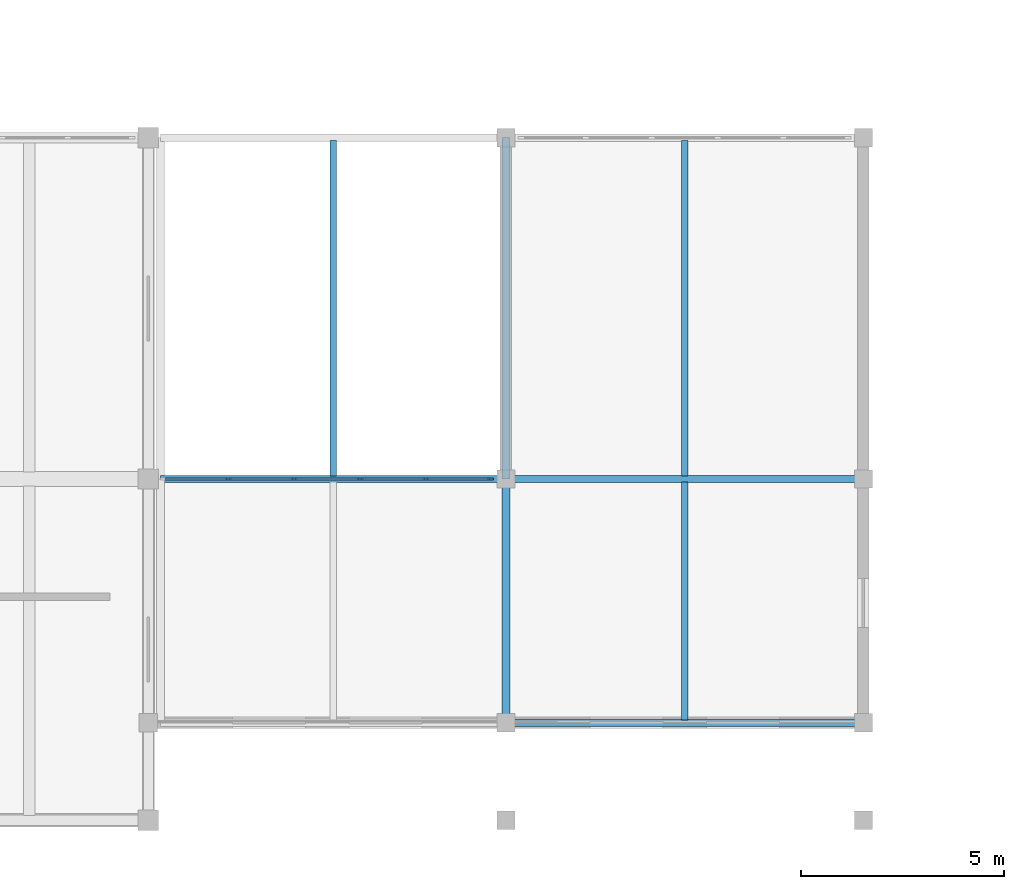
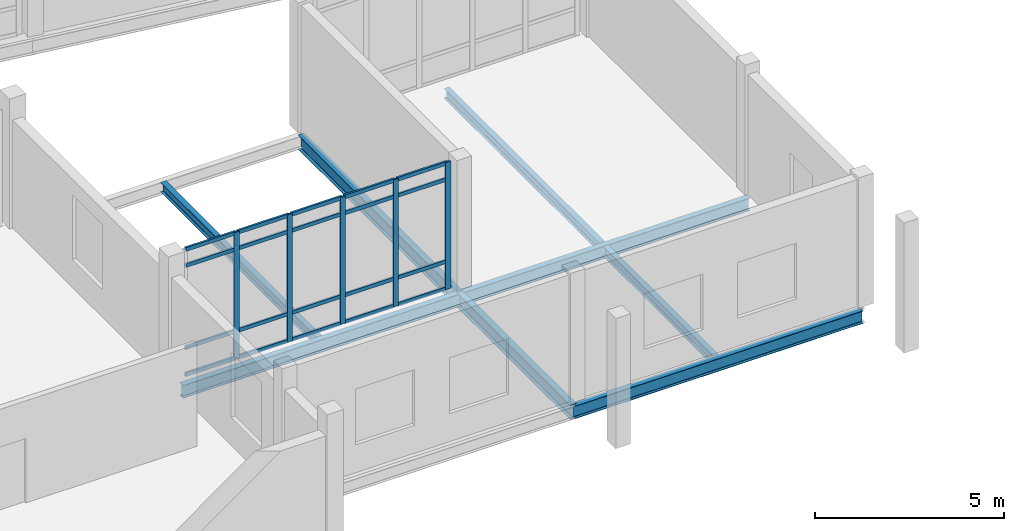
# One storey, part 34 of 137: 25 members, 8 beams, 1 element without a shape of its own.
"""IFC4 building model written with IfcOpenShell, lengths in metres."""

from ifc_helpers import new_model, si_unit, direction, frame, origin, origin_2d, place, context, subcontext, project, spatial, rectangle, i_section, extrude, material, material_profile, profile_set, type_object, element, aggregate, save


model = new_model("IFC4")

# Units and contexts
model_context = context("Model", 3, precision=1e-05, world=origin(), true_north=direction((0.0, 1.0)))
body_context = subcontext(model_context, "Body", "Model", "MODEL_VIEW")
ifc_project = project(units=[si_unit("LENGTHUNIT", "METRE"), si_unit("AREAUNIT", "SQUARE_METRE"), si_unit("VOLUMEUNIT", "CUBIC_METRE"), si_unit("PLANEANGLEUNIT", "RADIAN"), si_unit("MASSUNIT", "GRAM", prefix="KILO")], contexts=[model_context])

# Site, building, storey
site_placement = place(None, origin())
site = spatial("IfcSite", under=ifc_project, at=site_placement, CompositionType="ELEMENT")
building_placement = place(site_placement, origin())
building = spatial("IfcBuilding", under=site, at=building_placement, Name="Cinderway Yard Community Centre", CompositionType="ELEMENT")
storey_placement = place(building_placement, frame((0.0, 0.0, 4.800048828125)))
storey = spatial("IfcBuildingStorey", under=building, at=storey_placement, Name="L01", CompositionType="ELEMENT", Elevation=4.800048828125)

# Curtain wall, members
ifc_material_1 = material(Name="Aluminium 6063-T6", Category="aluminium")
curtain_wall_type = type_object("IfcCurtainWallType", Name="ENV-CW-TYPE-37", PredefinedType="USERDEFINED", material=ifc_material_1)
curtain_wall_placement = place(storey_placement, origin())
curtain_wall = element("IfcCurtainWall", 1, at=curtain_wall_placement, inside=storey, type_object=curtain_wall_type, Name="East Arcade Courtyard Curtain Wall ENV-CW-L01-ST-0201", ObjectType="GLAZED CURTAIN WALL", PredefinedType="USERDEFINED")
ifc_material_profile_1 = material_profile(ifc_material_1, rectangle(XDim=0.06005859375, YDim=0.159912109375, at=origin_2d()), Name="Aluminium 6063-T6")
ifc_profile_set_1 = profile_set([ifc_material_profile_1], Name="Aluminium 6063-T6")
member_type_1 = type_object("IfcMemberType", Name="ENV-CW-MULL-150", PredefinedType="MULLION", material=ifc_profile_set_1)
member_1_placement = place(storey_placement, frame((121.169921875, 14.39990234375, 0.0), z_axis=(0.0, 0.0, 1.0), x_axis=(0.0, 1.0, 0.0)))
member_1 = element("IfcMember", 2, at=member_1_placement, type_object=member_type_1, Name="CW-37 mullion 2", PredefinedType="MULLION", context=body_context, shape_type="SweptSolid", body=[
    extrude(rectangle(XDim=0.06005859375, YDim=0.159912109375, at=origin_2d()), origin(), (0.0, 0.0, 1.0), 4.099853515625),
])
member_2_placement = place(storey_placement, frame((122.7900390625, 14.39990234375, 0.0), z_axis=(0.0, 0.0, 1.0), x_axis=(0.0, 1.0, 0.0)))
member_2 = element("IfcMember", 3, at=member_2_placement, type_object=member_type_1, Name="CW-37 mullion 3", PredefinedType="MULLION", context=body_context, shape_type="SweptSolid", body=[
    extrude(rectangle(XDim=0.06005859375, YDim=0.159912109375, at=origin_2d()), origin(), (0.0, 0.0, 1.0), 4.099853515625),
])
member_3_placement = place(storey_placement, frame((124.409912109375, 14.39990234375, 0.0), z_axis=(0.0, 0.0, 1.0), x_axis=(0.0, 1.0, 0.0)))
member_3 = element("IfcMember", 4, at=member_3_placement, type_object=member_type_1, Name="CW-37 mullion 4", PredefinedType="MULLION", context=body_context, shape_type="SweptSolid", body=[
    extrude(rectangle(XDim=0.06005859375, YDim=0.159912109375, at=origin_2d()), origin(), (0.0, 0.0, 1.0), 4.099853515625),
])
member_4_placement = place(storey_placement, frame((126.030029296875, 14.39990234375, 0.0), z_axis=(0.0, 0.0, 1.0), x_axis=(0.0, 1.0, 0.0)))
member_4 = element("IfcMember", 5, at=member_4_placement, type_object=member_type_1, Name="CW-37 mullion 5", PredefinedType="MULLION", context=body_context, shape_type="SweptSolid", body=[
    extrude(rectangle(XDim=0.06005859375, YDim=0.159912109375, at=origin_2d()), origin(), (0.0, 0.0, 1.0), 4.099853515625),
])
member_5_placement = place(storey_placement, frame((127.6201171875, 14.39990234375, 0.0), z_axis=(0.0, 0.0, 1.0), x_axis=(0.0, 1.0, 0.0)))
member_5 = element("IfcMember", 6, at=member_5_placement, type_object=member_type_1, Name="CW-37 mullion 6", PredefinedType="MULLION", context=body_context, shape_type="SweptSolid", body=[
    extrude(rectangle(XDim=0.06005859375, YDim=0.159912109375, at=origin_2d()), origin(), (0.0, 0.0, 1.0), 4.099853515625),
])
ifc_material_profile_2 = material_profile(ifc_material_1, rectangle(XDim=0.06005859375, YDim=0.1201171875, at=origin_2d()), Name="Aluminium 6063-T6")
ifc_profile_set_2 = profile_set([ifc_material_profile_2], Name="Aluminium 6063-T6")
member_type_2 = type_object("IfcMemberType", Name="ENV-CW-TRAN-110", PredefinedType="USERDEFINED", material=ifc_profile_set_2)
member_6_placement = place(storey_placement, frame((119.610107421875, 14.39990234375, 0.030029296875), z_axis=(1.0, 0.0, 0.0), x_axis=(0.0, 1.0, 0.0)))
member_6 = element("IfcMember", 7, at=member_6_placement, type_object=member_type_2, Name="CW-37 transom 1.1", ObjectType="TRANSOM", PredefinedType="USERDEFINED", context=body_context, shape_type="SweptSolid", body=[
    extrude(rectangle(XDim=0.06005859375, YDim=0.1201171875, at=origin_2d()), origin(), (0.0, 0.0, 1.0), 1.52978515625),
])
member_7_placement = place(storey_placement, frame((119.610107421875, 14.39990234375, 0.89990234375), z_axis=(1.0, 0.0, 0.0), x_axis=(0.0, 1.0, 0.0)))
member_7 = element("IfcMember", 8, at=member_7_placement, type_object=member_type_2, Name="CW-37 transom 1.2", ObjectType="TRANSOM", PredefinedType="USERDEFINED", context=body_context, shape_type="SweptSolid", body=[
    extrude(rectangle(XDim=0.06005859375, YDim=0.1201171875, at=origin_2d()), origin(), (0.0, 0.0, 1.0), 1.52978515625),
])
member_8_placement = place(storey_placement, frame((119.610107421875, 14.39990234375, 3.550048828125), z_axis=(1.0, 0.0, 0.0), x_axis=(0.0, 1.0, 0.0)))
member_8 = element("IfcMember", 9, at=member_8_placement, type_object=member_type_2, Name="CW-37 transom 1.3", ObjectType="TRANSOM", PredefinedType="USERDEFINED", context=body_context, shape_type="SweptSolid", body=[
    extrude(rectangle(XDim=0.06005859375, YDim=0.1201171875, at=origin_2d()), origin(), (0.0, 0.0, 1.0), 1.52978515625),
])
member_9_placement = place(storey_placement, frame((119.610107421875, 14.39990234375, 4.070068359375), z_axis=(1.0, 0.0, 0.0), x_axis=(0.0, 1.0, 0.0)))
member_9 = element("IfcMember", 10, at=member_9_placement, type_object=member_type_2, Name="CW-37 transom 1.4", ObjectType="TRANSOM", PredefinedType="USERDEFINED", context=body_context, shape_type="SweptSolid", body=[
    extrude(rectangle(XDim=0.06005859375, YDim=0.1201171875, at=origin_2d()), origin(), (0.0, 0.0, 1.0), 1.52978515625),
])
member_10_placement = place(storey_placement, frame((121.199951171875, 14.39990234375, 0.030029296875), z_axis=(1.0, 0.0, 0.0), x_axis=(0.0, 1.0, 0.0)))
member_10 = element("IfcMember", 11, at=member_10_placement, type_object=member_type_2, Name="CW-37 transom 2.1", ObjectType="TRANSOM", PredefinedType="USERDEFINED", context=body_context, shape_type="SweptSolid", body=[
    extrude(rectangle(XDim=0.06005859375, YDim=0.1201171875, at=origin_2d()), origin(), (0.0, 0.0, 1.0), 1.56005859375),
])
member_11_placement = place(storey_placement, frame((121.199951171875, 14.39990234375, 0.89990234375), z_axis=(1.0, 0.0, 0.0), x_axis=(0.0, 1.0, 0.0)))
member_11 = element("IfcMember", 12, at=member_11_placement, type_object=member_type_2, Name="CW-37 transom 2.2", ObjectType="TRANSOM", PredefinedType="USERDEFINED", context=body_context, shape_type="SweptSolid", body=[
    extrude(rectangle(XDim=0.06005859375, YDim=0.1201171875, at=origin_2d()), origin(), (0.0, 0.0, 1.0), 1.56005859375),
])
member_12_placement = place(storey_placement, frame((121.199951171875, 14.39990234375, 3.550048828125), z_axis=(1.0, 0.0, 0.0), x_axis=(0.0, 1.0, 0.0)))
member_12 = element("IfcMember", 13, at=member_12_placement, type_object=member_type_2, Name="CW-37 transom 2.3", ObjectType="TRANSOM", PredefinedType="USERDEFINED", context=body_context, shape_type="SweptSolid", body=[
    extrude(rectangle(XDim=0.06005859375, YDim=0.1201171875, at=origin_2d()), origin(), (0.0, 0.0, 1.0), 1.56005859375),
])
member_13_placement = place(storey_placement, frame((121.199951171875, 14.39990234375, 4.070068359375), z_axis=(1.0, 0.0, 0.0), x_axis=(0.0, 1.0, 0.0)))
member_13 = element("IfcMember", 14, at=member_13_placement, type_object=member_type_2, Name="CW-37 transom 2.4", ObjectType="TRANSOM", PredefinedType="USERDEFINED", context=body_context, shape_type="SweptSolid", body=[
    extrude(rectangle(XDim=0.06005859375, YDim=0.1201171875, at=origin_2d()), origin(), (0.0, 0.0, 1.0), 1.56005859375),
])
member_14_placement = place(storey_placement, frame((122.820068359375, 14.39990234375, 0.030029296875), z_axis=(1.0, 0.0, 0.0), x_axis=(0.0, 1.0, 0.0)))
member_14 = element("IfcMember", 15, at=member_14_placement, type_object=member_type_2, Name="CW-37 transom 3.1", ObjectType="TRANSOM", PredefinedType="USERDEFINED", context=body_context, shape_type="SweptSolid", body=[
    extrude(rectangle(XDim=0.06005859375, YDim=0.1201171875, at=origin_2d()), origin(), (0.0, 0.0, 1.0), 1.559814453125),
])
member_15_placement = place(storey_placement, frame((122.820068359375, 14.39990234375, 0.89990234375), z_axis=(1.0, 0.0, 0.0), x_axis=(0.0, 1.0, 0.0)))
member_15 = element("IfcMember", 16, at=member_15_placement, type_object=member_type_2, Name="CW-37 transom 3.2", ObjectType="TRANSOM", PredefinedType="USERDEFINED", context=body_context, shape_type="SweptSolid", body=[
    extrude(rectangle(XDim=0.06005859375, YDim=0.1201171875, at=origin_2d()), origin(), (0.0, 0.0, 1.0), 1.559814453125),
])
member_16_placement = place(storey_placement, frame((122.820068359375, 14.39990234375, 3.550048828125), z_axis=(1.0, 0.0, 0.0), x_axis=(0.0, 1.0, 0.0)))
member_16 = element("IfcMember", 17, at=member_16_placement, type_object=member_type_2, Name="CW-37 transom 3.3", ObjectType="TRANSOM", PredefinedType="USERDEFINED", context=body_context, shape_type="SweptSolid", body=[
    extrude(rectangle(XDim=0.06005859375, YDim=0.1201171875, at=origin_2d()), origin(), (0.0, 0.0, 1.0), 1.559814453125),
])
member_17_placement = place(storey_placement, frame((122.820068359375, 14.39990234375, 4.070068359375), z_axis=(1.0, 0.0, 0.0), x_axis=(0.0, 1.0, 0.0)))
member_17 = element("IfcMember", 18, at=member_17_placement, type_object=member_type_2, Name="CW-37 transom 3.4", ObjectType="TRANSOM", PredefinedType="USERDEFINED", context=body_context, shape_type="SweptSolid", body=[
    extrude(rectangle(XDim=0.06005859375, YDim=0.1201171875, at=origin_2d()), origin(), (0.0, 0.0, 1.0), 1.559814453125),
])
member_18_placement = place(storey_placement, frame((124.43994140625, 14.39990234375, 0.030029296875), z_axis=(1.0, 0.0, 0.0), x_axis=(0.0, 1.0, 0.0)))
member_18 = element("IfcMember", 19, at=member_18_placement, type_object=member_type_2, Name="CW-37 transom 4.1", ObjectType="TRANSOM", PredefinedType="USERDEFINED", context=body_context, shape_type="SweptSolid", body=[
    extrude(rectangle(XDim=0.06005859375, YDim=0.1201171875, at=origin_2d()), origin(), (0.0, 0.0, 1.0), 1.56005859375),
])
member_19_placement = place(storey_placement, frame((124.43994140625, 14.39990234375, 0.89990234375), z_axis=(1.0, 0.0, 0.0), x_axis=(0.0, 1.0, 0.0)))
member_19 = element("IfcMember", 20, at=member_19_placement, type_object=member_type_2, Name="CW-37 transom 4.2", ObjectType="TRANSOM", PredefinedType="USERDEFINED", context=body_context, shape_type="SweptSolid", body=[
    extrude(rectangle(XDim=0.06005859375, YDim=0.1201171875, at=origin_2d()), origin(), (0.0, 0.0, 1.0), 1.56005859375),
])
member_20_placement = place(storey_placement, frame((124.43994140625, 14.39990234375, 3.550048828125), z_axis=(1.0, 0.0, 0.0), x_axis=(0.0, 1.0, 0.0)))
member_20 = element("IfcMember", 21, at=member_20_placement, type_object=member_type_2, Name="CW-37 transom 4.3", ObjectType="TRANSOM", PredefinedType="USERDEFINED", context=body_context, shape_type="SweptSolid", body=[
    extrude(rectangle(XDim=0.06005859375, YDim=0.1201171875, at=origin_2d()), origin(), (0.0, 0.0, 1.0), 1.56005859375),
])
member_21_placement = place(storey_placement, frame((124.43994140625, 14.39990234375, 4.070068359375), z_axis=(1.0, 0.0, 0.0), x_axis=(0.0, 1.0, 0.0)))
member_21 = element("IfcMember", 22, at=member_21_placement, type_object=member_type_2, Name="CW-37 transom 4.4", ObjectType="TRANSOM", PredefinedType="USERDEFINED", context=body_context, shape_type="SweptSolid", body=[
    extrude(rectangle(XDim=0.06005859375, YDim=0.1201171875, at=origin_2d()), origin(), (0.0, 0.0, 1.0), 1.56005859375),
])
member_22_placement = place(storey_placement, frame((126.06005859375, 14.39990234375, 0.030029296875), z_axis=(1.0, 0.0, 0.0), x_axis=(0.0, 1.0, 0.0)))
member_22 = element("IfcMember", 23, at=member_22_placement, type_object=member_type_2, Name="CW-37 transom 5.1", ObjectType="TRANSOM", PredefinedType="USERDEFINED", context=body_context, shape_type="SweptSolid", body=[
    extrude(rectangle(XDim=0.06005859375, YDim=0.1201171875, at=origin_2d()), origin(), (0.0, 0.0, 1.0), 1.530029296875),
])
member_23_placement = place(storey_placement, frame((126.06005859375, 14.39990234375, 0.89990234375), z_axis=(1.0, 0.0, 0.0), x_axis=(0.0, 1.0, 0.0)))
member_23 = element("IfcMember", 24, at=member_23_placement, type_object=member_type_2, Name="CW-37 transom 5.2", ObjectType="TRANSOM", PredefinedType="USERDEFINED", context=body_context, shape_type="SweptSolid", body=[
    extrude(rectangle(XDim=0.06005859375, YDim=0.1201171875, at=origin_2d()), origin(), (0.0, 0.0, 1.0), 1.530029296875),
])
member_24_placement = place(storey_placement, frame((126.06005859375, 14.39990234375, 3.550048828125), z_axis=(1.0, 0.0, 0.0), x_axis=(0.0, 1.0, 0.0)))
member_24 = element("IfcMember", 25, at=member_24_placement, type_object=member_type_2, Name="CW-37 transom 5.3", ObjectType="TRANSOM", PredefinedType="USERDEFINED", context=body_context, shape_type="SweptSolid", body=[
    extrude(rectangle(XDim=0.06005859375, YDim=0.1201171875, at=origin_2d()), origin(), (0.0, 0.0, 1.0), 1.530029296875),
])
member_25_placement = place(storey_placement, frame((126.06005859375, 14.39990234375, 4.070068359375), z_axis=(1.0, 0.0, 0.0), x_axis=(0.0, 1.0, 0.0)))
member_25 = element("IfcMember", 26, at=member_25_placement, type_object=member_type_2, Name="CW-37 transom 5.4", ObjectType="TRANSOM", PredefinedType="USERDEFINED", context=body_context, shape_type="SweptSolid", body=[
    extrude(rectangle(XDim=0.06005859375, YDim=0.1201171875, at=origin_2d()), origin(), (0.0, 0.0, 1.0), 1.530029296875),
])
aggregate(curtain_wall, [member_1, member_2, member_3, member_4, member_5, member_6, member_7, member_8, member_9, member_10, member_11, member_12, member_13, member_14, member_15, member_16, member_17, member_18, member_19, member_20, member_21, member_22, member_23, member_24, member_25])

# Beams
ifc_material_2 = material(Name="Steel S355", Category="steel")
ifc_material_profile_3 = material_profile(ifc_material_2, i_section(OverallWidth=0.166015625, OverallDepth=0.31298828125, WebThickness=0.006591796875, FlangeThickness=0.01123046875, FilletRadius=0.010009765625, at=origin_2d()), Name="Steel S355")
ifc_profile_set_3 = profile_set([ifc_material_profile_3], Name="Steel S355")
beam_type_1 = type_object("IfcBeamType", Name="STR-BM-W310X45", PredefinedType="SPANDREL", material=ifc_profile_set_3)
beam_1_placement = place(storey_placement, frame((123.75, 14.470947265625, -0.39697265625), z_axis=(0.0, 1.0, 0.0), x_axis=(-1.0, 0.0, 0.0)))
element("IfcBeam", 27, at=beam_1_placement, inside=storey, type_object=beam_type_1, Name="Secondary joist STR-BM-L01-SS01-0667", PredefinedType="SPANDREL", context=body_context, shape_type="SweptSolid", body=[
    extrude(i_section(OverallWidth=0.166015625, OverallDepth=0.31298828125, WebThickness=0.006591796875, FlangeThickness=0.01123046875, FilletRadius=0.010009765625, at=origin_2d()), origin(), (0.0, 0.0, 1.0), 8.258056640625),
])
beam_2_placement = place(storey_placement, frame((132.39990234375, 8.470947265625, -0.39697265625), z_axis=(0.0, 1.0, 0.0), x_axis=(-1.0, 0.0, 0.0)))
element("IfcBeam", 28, at=beam_2_placement, inside=storey, type_object=beam_type_1, Name="Secondary joist STR-BM-L01-SS01-0668", PredefinedType="SPANDREL", context=body_context, shape_type="SweptSolid", body=[
    extrude(i_section(OverallWidth=0.166015625, OverallDepth=0.31298828125, WebThickness=0.006591796875, FlangeThickness=0.01123046875, FilletRadius=0.010009765625, at=origin_2d()), origin(), (0.0, 0.0, 1.0), 5.858154296875),
])
beam_3_placement = place(storey_placement, frame((132.39990234375, 14.470947265625, -0.39697265625), z_axis=(0.0, 1.0, 0.0), x_axis=(-1.0, 0.0, 0.0)))
element("IfcBeam", 29, at=beam_3_placement, inside=storey, type_object=beam_type_1, Name="Secondary joist STR-BM-L01-SS01-0669", PredefinedType="SPANDREL", context=body_context, shape_type="SweptSolid", body=[
    extrude(i_section(OverallWidth=0.166015625, OverallDepth=0.31298828125, WebThickness=0.006591796875, FlangeThickness=0.01123046875, FilletRadius=0.010009765625, at=origin_2d()), origin(), (0.0, 0.0, 1.0), 8.258056640625),
])
ifc_material_profile_4 = material_profile(ifc_material_2, i_section(OverallWidth=0.178955078125, OverallDepth=0.409912109375, WebThickness=0.0087890625, FlangeThickness=0.013427734375, FilletRadius=0.011962890625, at=origin_2d()), Name="Steel S355")
ifc_profile_set_4 = profile_set([ifc_material_profile_4], Name="Steel S355")
beam_type_2 = type_object("IfcBeamType", Name="STR-BM-W410X67", PredefinedType="JOIST", material=ifc_profile_set_4)
beam_4_placement = place(storey_placement, frame((128.0, 8.39990234375, -0.445068359375), z_axis=(1.0, 0.0, 0.0), x_axis=(0.0, 1.0, 0.0)))
element("IfcBeam", 30, at=beam_4_placement, inside=storey, type_object=beam_type_2, Name="Primary girder STR-BM-L01-SJ02-0655", PredefinedType="JOIST", context=body_context, shape_type="SweptSolid", body=[
    extrude(i_section(OverallWidth=0.178955078125, OverallDepth=0.409912109375, WebThickness=0.0087890625, FlangeThickness=0.013427734375, FilletRadius=0.011962890625, at=origin_2d()), origin(), (0.0, 0.0, 1.0), 8.800048828125),
])
beam_5_placement = place(storey_placement, frame((119.5, 14.39990234375, -0.445068359375), z_axis=(1.0, 0.0, 0.0), x_axis=(0.0, 1.0, 0.0)))
element("IfcBeam", 31, at=beam_5_placement, inside=storey, type_object=beam_type_2, Name="Primary girder STR-BM-L01-SJ02-0656", PredefinedType="JOIST", context=body_context, shape_type="SweptSolid", body=[
    extrude(i_section(OverallWidth=0.178955078125, OverallDepth=0.409912109375, WebThickness=0.0087890625, FlangeThickness=0.013427734375, FilletRadius=0.011962890625, at=origin_2d()), origin(), (0.0, 0.0, 1.0), 8.5),
])
beam_6_placement = place(storey_placement, frame((128.0, 14.39990234375, -0.445068359375), z_axis=(1.0, 0.0, 0.0), x_axis=(0.0, 1.0, 0.0)))
element("IfcBeam", 32, at=beam_6_placement, inside=storey, type_object=beam_type_2, Name="Primary girder STR-BM-L01-SJ02-0657", PredefinedType="JOIST", context=body_context, shape_type="SweptSolid", body=[
    extrude(i_section(OverallWidth=0.178955078125, OverallDepth=0.409912109375, WebThickness=0.0087890625, FlangeThickness=0.013427734375, FilletRadius=0.011962890625, at=origin_2d()), origin(), (0.0, 0.0, 1.0), 8.800048828125),
])
ifc_material_profile_5 = material_profile(ifc_material_2, i_section(OverallWidth=0.19091796875, OverallDepth=0.4599609375, WebThickness=0.010009765625, FlangeThickness=0.014404296875, FilletRadius=0.012939453125, at=origin_2d()), Name="Steel S355")
ifc_profile_set_5 = profile_set([ifc_material_profile_5], Name="Steel S355")
beam_type_3 = type_object("IfcBeamType", Name="STR-BM-W460X82", PredefinedType="JOIST", material=ifc_profile_set_5)
beam_7_placement = place(storey_placement, frame((128.0, 8.39990234375, -0.469970703125), z_axis=(0.0, 1.0, 0.0), x_axis=(-1.0, 0.0, 0.0)))
element("IfcBeam", 33, at=beam_7_placement, inside=storey, type_object=beam_type_3, Name="Transverse girder STR-BM-L01-SJ01-0662", PredefinedType="JOIST", context=body_context, shape_type="SweptSolid", body=[
    extrude(i_section(OverallWidth=0.19091796875, OverallDepth=0.4599609375, WebThickness=0.010009765625, FlangeThickness=0.014404296875, FilletRadius=0.012939453125, at=origin_2d()), origin(), (0.0, 0.0, 1.0), 6.0),
])
beam_8_placement = place(storey_placement, frame((128.0, 14.39990234375, -0.469970703125), z_axis=(0.0, 1.0, 0.0), x_axis=(-1.0, 0.0, 0.0)))
element("IfcBeam", 34, at=beam_8_placement, inside=storey, type_object=beam_type_3, Name="Transverse girder STR-BM-L01-SJ01-0663", PredefinedType="JOIST", context=body_context, shape_type="SweptSolid", body=[
    extrude(i_section(OverallWidth=0.19091796875, OverallDepth=0.4599609375, WebThickness=0.010009765625, FlangeThickness=0.014404296875, FilletRadius=0.012939453125, at=origin_2d()), origin(), (0.0, 0.0, 1.0), 8.400146484375),
])

save(model, "model.ifc")
